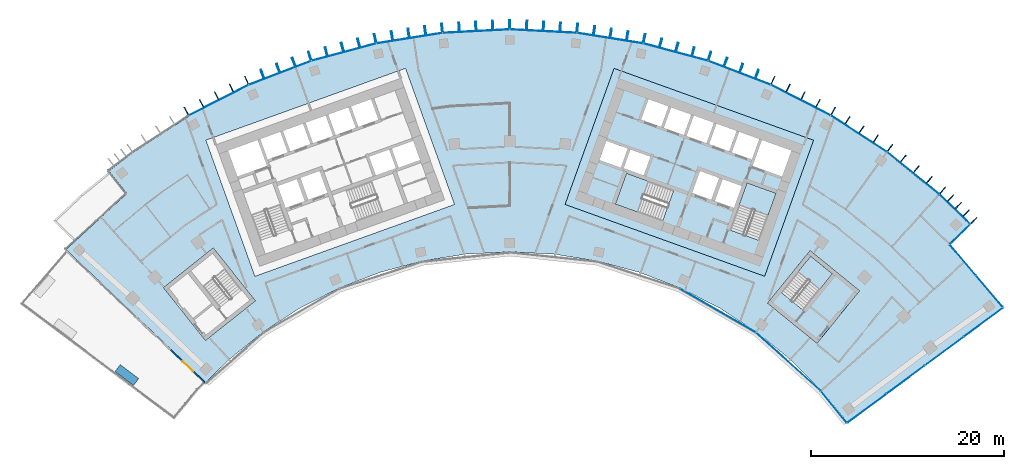
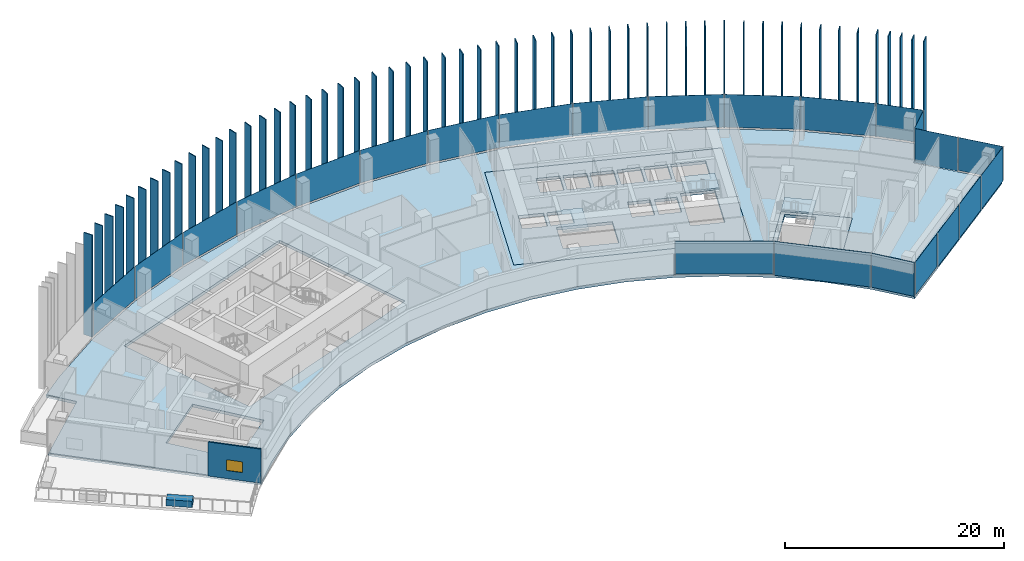
# One storey, part 11 of 20: 76 plates, 6 slabs, 2 walls, 1 window, 1 opening, 8 elements without a shape of their own.
"""IFC4 building model written with IfcOpenShell, lengths in metres."""

from ifc_helpers import new_model, si_unit, direction, frame, frame_2d, origin, origin_2d, place, context, subcontext, project, spatial, polyline, rectangle, outline, extrude, material, layer, layer_set, type_object, element, fill, aggregate, save


model = new_model("IFC4")

# Units and contexts
model_context = context("Model", 3, precision=1e-05, world=origin(), true_north=direction((0.0, 1.0)))
body_context = subcontext(model_context, "Body", "Model", "MODEL_VIEW")
ifc_project = project(units=[si_unit("LENGTHUNIT", "METRE"), si_unit("AREAUNIT", "SQUARE_METRE"), si_unit("VOLUMEUNIT", "CUBIC_METRE"), si_unit("PLANEANGLEUNIT", "RADIAN"), si_unit("MASSUNIT", "GRAM", prefix="KILO")], contexts=[model_context])

# Site, building, storey
site_placement = place(None, origin())
site = spatial("IfcSite", under=ifc_project, at=site_placement, CompositionType="ELEMENT")
building_placement = place(site_placement, origin())
building = spatial("IfcBuilding", under=site, at=building_placement, Name="Stone Belt Terrace Tower", CompositionType="ELEMENT")
storey_placement = place(building_placement, frame((0.0, 0.0, 201.0)))
storey = spatial("IfcBuildingStorey", under=building, at=storey_placement, Name="L48", CompositionType="ELEMENT", Elevation=201.0)

# Curtain wall, plates
ifc_material_1 = material(Name="Aluminium 6063-T6 anodised frame", Category="aluminium")
ifc_layer_1 = layer(ifc_material_1, 0.14990234375)
ifc_layer_set_1 = layer_set([ifc_layer_1], Name="CW-A unitised convex-face curtain wall")
curtain_wall_type_1 = type_object("IfcCurtainWallType", Name="CW-A unitised convex-face curtain wall", PredefinedType="NOTDEFINED", material=ifc_layer_set_1)
curtain_wall_1_placement = place(storey_placement, origin())
curtain_wall_1 = element("IfcCurtainWall", 1, at=curtain_wall_1_placement, inside=storey, type_object=curtain_wall_type_1, Name="CW-A convex face L48", PredefinedType="NOTDEFINED")
ifc_material_2 = material(Name="Clear double glazed unit")
ifc_layer_2 = layer(ifc_material_2, 0.031982421875)
ifc_layer_set_2 = layer_set([ifc_layer_2], Name="CW-A glass panel 32")
plate_type_1 = type_object("IfcPlateType", Name="CW-A glass panel 32", PredefinedType="CURTAIN_PANEL", material=ifc_layer_set_2)
plate_1_placement = place(storey_placement, frame((46.14599609375, 47.936767578125, 0.14013671875), z_axis=(0.0, 0.0, 1.0), x_axis=(-0.720604393579, 0.693346455933, 0.0)))
plate_1 = element("IfcPlate", 2, at=plate_1_placement, type_object=plate_type_1, Name="CW-A panel 1.1", PredefinedType="CURTAIN_PANEL", context=body_context, shape_type="SweptSolid", body=[
    extrude(rectangle(XDim=4.372314453125, YDim=0.031982421875, at=origin_2d()), origin(), (0.0, 0.0, 1.0), 3.659912109375),
])
plate_2_placement = place(storey_placement, frame((41.839599609375, 51.667724609375, 0.14013671875), z_axis=(0.0, 0.0, 1.0), x_axis=(-0.777145961457, 0.62932039105, 0.0)))
plate_2 = element("IfcPlate", 3, at=plate_2_placement, type_object=plate_type_1, Name="CW-A panel 2.1", PredefinedType="CURTAIN_PANEL", context=body_context, shape_type="SweptSolid", body=[
    extrude(rectangle(XDim=6.90087890625, YDim=0.031982421875, at=origin_2d()), origin(), (0.0, 0.0, 1.0), 3.659912109375),
])
plate_3_placement = place(storey_placement, frame((36.209716796875, 55.758056640625, 0.14013671875), z_axis=(0.0, 0.0, 1.0), x_axis=(-0.838670567945, 0.544639035015, 0.0)))
plate_3 = element("IfcPlate", 4, at=plate_3_placement, type_object=plate_type_1, Name="CW-A panel 3.1", PredefinedType="CURTAIN_PANEL", context=body_context, shape_type="SweptSolid", body=[
    extrude(rectangle(XDim=6.90087890625, YDim=0.031982421875, at=origin_2d()), origin(), (0.0, 0.0, 1.0), 3.659912109375),
])
plate_4_placement = place(storey_placement, frame((30.18310546875, 59.237548828125, 0.14013671875), z_axis=(0.0, 0.0, 1.0), x_axis=(-0.891006524188, 0.45399049974, 0.0)))
plate_4 = element("IfcPlate", 5, at=plate_4_placement, type_object=plate_type_1, Name="CW-A panel 4.1", PredefinedType="CURTAIN_PANEL", context=body_context, shape_type="SweptSolid", body=[
    extrude(rectangle(XDim=6.90087890625, YDim=0.031982421875, at=origin_2d()), origin(), (0.0, 0.0, 1.0), 3.659912109375),
])
plate_5_placement = place(storey_placement, frame((23.82568359375, 62.068115234375, 0.14013671875), z_axis=(0.0, 0.0, 1.0), x_axis=(-0.933580426497, 0.358367949545, 0.0)))
plate_5 = element("IfcPlate", 6, at=plate_5_placement, type_object=plate_type_1, Name="CW-A panel 5.1", PredefinedType="CURTAIN_PANEL", context=body_context, shape_type="SweptSolid", body=[
    extrude(rectangle(XDim=6.90087890625, YDim=0.031982421875, at=origin_2d()), origin(), (0.0, 0.0, 1.0), 3.659912109375),
])
plate_6_placement = place(storey_placement, frame((17.207275390625, 64.218505859375, 0.14013671875), z_axis=(0.0, 0.0, 1.0), x_axis=(-0.965925826289, 0.258819045103, 0.0)))
plate_6 = element("IfcPlate", 7, at=plate_6_placement, type_object=plate_type_1, Name="CW-A panel 6.1", PredefinedType="CURTAIN_PANEL", context=body_context, shape_type="SweptSolid", body=[
    extrude(rectangle(XDim=6.90087890625, YDim=0.031982421875, at=origin_2d()), origin(), (0.0, 0.0, 1.0), 3.659912109375),
])
plate_7_placement = place(storey_placement, frame((10.400390625, 65.665283203125, 0.14013671875), z_axis=(0.0, 0.0, 1.0), x_axis=(-0.987688340595, 0.15643446504, 0.0)))
plate_7 = element("IfcPlate", 8, at=plate_7_placement, type_object=plate_type_1, Name="CW-A panel 7.1", PredefinedType="CURTAIN_PANEL", context=body_context, shape_type="SweptSolid", body=[
    extrude(rectangle(XDim=6.90087890625, YDim=0.031982421875, at=origin_2d()), origin(), (0.0, 0.0, 1.0), 3.659912109375),
])
plate_8_placement = place(storey_placement, frame((3.4794921875, 66.392822265625, 0.14013671875), z_axis=(0.0, 0.0, 1.0), x_axis=(-0.998629534755, 0.052335956243, 0.0)))
plate_8 = element("IfcPlate", 9, at=plate_8_placement, type_object=plate_type_1, Name="CW-A panel 8.1", PredefinedType="CURTAIN_PANEL", context=body_context, shape_type="SweptSolid", body=[
    extrude(rectangle(XDim=6.90087890625, YDim=0.031982421875, at=origin_2d()), origin(), (0.0, 0.0, 1.0), 3.659912109375),
])
plate_9_placement = place(storey_placement, frame((-3.4794921875, 66.392822265625, 0.14013671875), z_axis=(0.0, 0.0, 1.0), x_axis=(-0.998629534755, -0.052335956243, 0.0)))
plate_9 = element("IfcPlate", 10, at=plate_9_placement, type_object=plate_type_1, Name="CW-A panel 9.1", PredefinedType="CURTAIN_PANEL", context=body_context, shape_type="SweptSolid", body=[
    extrude(rectangle(XDim=6.90087890625, YDim=0.031982421875, at=origin_2d()), origin(), (0.0, 0.0, 1.0), 3.659912109375),
])
plate_10_placement = place(storey_placement, frame((-10.400390625, 65.665283203125, 0.14013671875), z_axis=(0.0, 0.0, 1.0), x_axis=(-0.987688340595, -0.15643446504, 0.0)))
plate_10 = element("IfcPlate", 11, at=plate_10_placement, type_object=plate_type_1, Name="CW-A panel 10.1", PredefinedType="CURTAIN_PANEL", context=body_context, shape_type="SweptSolid", body=[
    extrude(rectangle(XDim=6.90087890625, YDim=0.031982421875, at=origin_2d()), origin(), (0.0, 0.0, 1.0), 3.659912109375),
])
plate_11_placement = place(storey_placement, frame((-17.207275390625, 64.218505859375, 0.14013671875), z_axis=(0.0, 0.0, 1.0), x_axis=(-0.965925826289, -0.258819045103, 0.0)))
plate_11 = element("IfcPlate", 12, at=plate_11_placement, type_object=plate_type_1, Name="CW-A panel 11.1", PredefinedType="CURTAIN_PANEL", context=body_context, shape_type="SweptSolid", body=[
    extrude(rectangle(XDim=6.90087890625, YDim=0.031982421875, at=origin_2d()), origin(), (0.0, 0.0, 1.0), 3.659912109375),
])
plate_12_placement = place(storey_placement, frame((-23.82568359375, 62.068115234375, 0.14013671875), z_axis=(0.0, 0.0, 1.0), x_axis=(-0.933580426497, -0.358367949545, 0.0)))
plate_12 = element("IfcPlate", 13, at=plate_12_placement, type_object=plate_type_1, Name="CW-A panel 12.1", PredefinedType="CURTAIN_PANEL", context=body_context, shape_type="SweptSolid", body=[
    extrude(rectangle(XDim=6.90087890625, YDim=0.031982421875, at=origin_2d()), origin(), (0.0, 0.0, 1.0), 3.659912109375),
])
plate_13_placement = place(storey_placement, frame((-30.18310546875, 59.237548828125, 0.14013671875), z_axis=(0.0, 0.0, 1.0), x_axis=(-0.891006524188, -0.45399049974, 0.0)))
plate_13 = element("IfcPlate", 14, at=plate_13_placement, type_object=plate_type_1, Name="CW-A panel 13.1", PredefinedType="CURTAIN_PANEL", context=body_context, shape_type="SweptSolid", body=[
    extrude(rectangle(XDim=6.90087890625, YDim=0.031982421875, at=origin_2d()), origin(), (0.0, 0.0, 1.0), 3.659912109375),
])
aggregate(curtain_wall_1, [plate_1, plate_2, plate_3, plate_4, plate_5, plate_6, plate_7, plate_8, plate_9, plate_10, plate_11, plate_12, plate_13])

ifc_layer_3 = layer(ifc_material_1, 0.14990234375)
ifc_layer_set_3 = layer_set([ifc_layer_3], Name="CW-B unitised concave-face curtain wall")
curtain_wall_type_2 = type_object("IfcCurtainWallType", Name="CW-B unitised concave-face curtain wall", PredefinedType="NOTDEFINED", material=ifc_layer_set_3)
curtain_wall_2_placement = place(storey_placement, origin())
curtain_wall_2 = element("IfcCurtainWall", 15, at=curtain_wall_2_placement, inside=storey, type_object=curtain_wall_type_2, Name="CW-B concave face L48", PredefinedType="NOTDEFINED")
ifc_layer_4 = layer(ifc_material_2, 0.030029296875)
ifc_layer_set_4 = layer_set([ifc_layer_4], Name="CW-B glass panel 30")
plate_type_2 = type_object("IfcPlateType", Name="CW-B glass panel 30", PredefinedType="CURTAIN_PANEL", material=ifc_layer_set_4)
plate_14_placement = place(storey_placement, frame((21.59326171875, 37.40087890625, 0.1201171875), z_axis=(0.0, 0.0, 1.0), x_axis=(0.866025403784, -0.5, 0.0)))
plate_14 = element("IfcPlate", 16, at=plate_14_placement, type_object=plate_type_2, Name="CW-B panel 7.1", PredefinedType="CURTAIN_PANEL", context=body_context, shape_type="SweptSolid", body=[
    extrude(rectangle(XDim=9.0126953125, YDim=0.030029296875, at=origin_2d()), origin(), (0.0, 0.0, 1.0), 3.679931640625),
])
plate_15_placement = place(storey_placement, frame((28.899169921875, 32.092529296875, 0.0), z_axis=(0.0, 0.0, 1.0), x_axis=(0.743144825477, -0.669130606359, 0.0)))
plate_15 = element("IfcPlate", 17, at=plate_15_placement, type_object=plate_type_2, Name="CW-B panel 8.1", PredefinedType="CURTAIN_PANEL", context=body_context, shape_type="SweptSolid", body=[
    extrude(rectangle(XDim=9.01708984375, YDim=0.030029296875, at=origin_2d()), origin(), (0.0, 0.0, 1.0), 3.800048828125),
])
plate_16_placement = place(storey_placement, frame((33.611572265625, 27.4150390625, 0.0), z_axis=(0.0, 0.0, 1.0), x_axis=(0.632397726807, -0.774643863417, 0.0)))
plate_16 = element("IfcPlate", 18, at=plate_16_placement, type_object=plate_type_2, Name="CW-B panel 9.1", PredefinedType="CURTAIN_PANEL", context=body_context, shape_type="SweptSolid", body=[
    extrude(rectangle(XDim=4.173828125, YDim=0.030029296875, at=origin_2d()), origin(), (0.0, 0.0, 1.0), 3.800048828125),
])
aggregate(curtain_wall_2, [plate_14, plate_15, plate_16])

ifc_layer_5 = layer(ifc_material_1, 0.14990234375)
ifc_layer_set_5 = layer_set([ifc_layer_5], Name="CW-C stick curtain wall, horn ends and notches")
curtain_wall_type_3 = type_object("IfcCurtainWallType", Name="CW-C stick curtain wall, horn ends and notches", PredefinedType="NOTDEFINED", material=ifc_layer_set_5)
curtain_wall_3_placement = place(storey_placement, origin())
curtain_wall_3 = element("IfcCurtainWall", 19, at=curtain_wall_3_placement, inside=storey, type_object=curtain_wall_type_3, Name="CW-C end face L48", PredefinedType="NOTDEFINED")
ifc_layer_6 = layer(ifc_material_2, 0.028076171875)
ifc_layer_set_6 = layer_set([ifc_layer_6], Name="CW-C glass panel 28")
plate_type_3 = type_object("IfcPlateType", Name="CW-C glass panel 28", PredefinedType="CURTAIN_PANEL", material=ifc_layer_set_6)
plate_17_placement = place(storey_placement, frame((37.032470703125, 27.263916015625, 0.1201171875), z_axis=(0.0, 0.0, 1.0), x_axis=(0.804329077539, 0.594184091865, 0.0)))
plate_17 = element("IfcPlate", 20, at=plate_17_placement, type_object=plate_type_3, Name="CW-C panel 1.1", PredefinedType="CURTAIN_PANEL", context=body_context, shape_type="SweptSolid", body=[
    extrude(rectangle(XDim=4.968017578125, YDim=0.028076171875, at=origin_2d()), origin(), (0.0, 0.0, 1.0), 3.679931640625),
])
plate_18_placement = place(storey_placement, frame((41.0654296875, 30.2431640625, 0.0), z_axis=(0.0, 0.0, 1.0), x_axis=(0.804329077539, 0.594184091865, 0.0)))
plate_18 = element("IfcPlate", 21, at=plate_18_placement, type_object=plate_type_3, Name="CW-C panel 2.1", PredefinedType="CURTAIN_PANEL", context=body_context, shape_type="SweptSolid", body=[
    extrude(rectangle(XDim=4.93994140625, YDim=0.028076171875, at=origin_2d()), origin(), (0.0, 0.0, 1.0), 3.800048828125),
])
plate_19_placement = place(storey_placement, frame((45.0869140625, 33.2138671875, 0.0), z_axis=(0.0, 0.0, 1.0), x_axis=(0.804329077539, 0.594184091865, 0.0)))
plate_19 = element("IfcPlate", 22, at=plate_19_placement, type_object=plate_type_3, Name="CW-C panel 3.1", PredefinedType="CURTAIN_PANEL", context=body_context, shape_type="SweptSolid", body=[
    extrude(rectangle(XDim=4.93994140625, YDim=0.028076171875, at=origin_2d()), origin(), (0.0, 0.0, 1.0), 3.800048828125),
])
plate_20_placement = place(storey_placement, frame((49.122802734375, 36.1953125, 0.0), z_axis=(0.0, 0.0, 1.0), x_axis=(0.804329077539, 0.594184091865, 0.0)))
plate_20 = element("IfcPlate", 23, at=plate_20_placement, type_object=plate_type_3, Name="CW-C panel 4.1", PredefinedType="CURTAIN_PANEL", context=body_context, shape_type="SweptSolid", body=[
    extrude(rectangle(XDim=4.974853515625, YDim=0.028076171875, at=origin_2d()), origin(), (0.0, 0.0, 1.0), 3.800048828125),
])
aggregate(curtain_wall_3, [plate_17, plate_18, plate_19, plate_20])

curtain_wall_4_placement = place(storey_placement, origin())
curtain_wall_4 = element("IfcCurtainWall", 24, at=curtain_wall_4_placement, inside=storey, type_object=curtain_wall_type_3, Name="CW-C notch face L48", PredefinedType="NOTDEFINED")
plate_21_placement = place(storey_placement, frame((49.75390625, 39.402587890625, 0.1201171875), z_axis=(0.0, 0.0, 1.0), x_axis=(-0.647210945735, 0.762310954743, 0.0)))
plate_21 = element("IfcPlate", 25, at=plate_21_placement, type_object=plate_type_3, Name="CW-C panel 1.1", PredefinedType="CURTAIN_PANEL", context=body_context, shape_type="SweptSolid", body=[
    extrude(rectangle(XDim=4.268798828125, YDim=0.028076171875, at=origin_2d()), origin(), (0.0, 0.0, 1.0), 3.679931640625),
])
plate_22_placement = place(storey_placement, frame((47.000244140625, 42.645751953125, 0.0), z_axis=(0.0, 0.0, 1.0), x_axis=(-0.647210945735, 0.762310954743, 0.0)))
plate_22 = element("IfcPlate", 26, at=plate_22_placement, type_object=plate_type_3, Name="CW-C panel 2.1", PredefinedType="CURTAIN_PANEL", context=body_context, shape_type="SweptSolid", body=[
    extrude(rectangle(XDim=4.12060546875, YDim=0.028076171875, at=origin_2d()), origin(), (0.0, 0.0, 1.0), 3.800048828125),
])
aggregate(curtain_wall_4, [plate_21, plate_22])

# Curtain wall, plate
curtain_wall_5_placement = place(storey_placement, origin())
curtain_wall_5 = element("IfcCurtainWall", 27, at=curtain_wall_5_placement, inside=storey, type_object=curtain_wall_type_3, Name="CW-C notch face L48", PredefinedType="NOTDEFINED")
plate_23_placement = place(storey_placement, frame((46.69677734375, 45.320068359375, 0.1201171875), z_axis=(0.0, 0.0, 1.0), x_axis=(0.71680345276, 0.697275275707, 0.0)))
plate_23 = element("IfcPlate", 28, at=plate_23_placement, type_object=plate_type_3, Name="CW-C panel 1.1", PredefinedType="CURTAIN_PANEL", context=body_context, shape_type="SweptSolid", body=[
    extrude(rectangle(XDim=2.859619140625, YDim=0.028076171875, at=origin_2d()), origin(), (0.0, 0.0, 1.0), 3.679931640625),
])
aggregate(curtain_wall_5, [plate_23])

# Slabs
ifc_material_3 = material(Name="Concrete B40", Category="concrete")
ifc_layer_7 = layer(ifc_material_3, 0.320068359375)
ifc_layer_set_7 = layer_set([ifc_layer_7], Name="Core floor slab 320")
slab_type_1 = type_object("IfcSlabType", Name="Core floor slab 320", PredefinedType="FLOOR", material=ifc_layer_set_7)
slab_1_placement = place(storey_placement, frame((0.0, 0.0, -0.320068359375)))
element("IfcSlab", 29, at=slab_1_placement, inside=storey, type_object=slab_type_1, Name="Core B floor L48", PredefinedType="FLOOR", context=body_context, shape_type="SweptSolid", body=[
    extrude(outline(polyline([(26.43505859375, 40.968994140625), (31.513916015625, 55.0830078125), (10.81396484375, 62.531982421875), (5.735107421875, 48.4189453125), (26.43505859375, 40.968994140625)]), holes=[polyline([(12.10595703125, 51.652099609375), (16.998046875, 49.89208984375), (15.846923828125, 46.69189453125), (10.955078125, 48.452880859375), (12.10595703125, 51.652099609375)]), polyline([(12.511962890625, 54.110107421875), (14.58203125, 53.364990234375), (13.887939453125, 51.43603515625), (11.864990234375, 52.1640625), (11.847900390625, 52.116943359375), (11.801025390625, 52.134033203125), (12.511962890625, 54.110107421875)]), polyline([(9.30810546875, 53.031005859375), (10.01904296875, 55.007080078125), (12.22998046875, 54.2109375), (11.51904296875, 52.235107421875), (9.30810546875, 53.031005859375)]), polyline([(18.333984375, 55.52197265625), (19.095947265625, 57.638916015625), (21.166015625, 56.89404296875), (20.404052734375, 54.777099609375), (18.333984375, 55.52197265625)]), polyline([(16.743896484375, 58.485107421875), (18.81396484375, 57.739990234375), (18.052001953125, 55.623046875), (15.98193359375, 56.367919921875), (16.743896484375, 58.485107421875)]), polyline([(14.39111328125, 59.33203125), (16.4609375, 58.5869140625), (15.699951171875, 56.469970703125), (13.6298828125, 57.215087890625), (14.39111328125, 59.33203125)]), polyline([(27.618896484375, 49.575927734375), (25.85888671875, 44.68408203125), (22.847900390625, 45.76806640625), (24.60791015625, 50.659912109375), (27.618896484375, 49.575927734375)]), polyline([(23.25, 48.06689453125), (21.27392578125, 48.778076171875), (22.0869140625, 51.035888671875), (24.06298828125, 50.324951171875), (23.25, 48.06689453125)]), polyline([(20.89794921875, 48.9130859375), (18.922119140625, 49.6240234375), (19.735107421875, 51.883056640625), (21.7109375, 51.1708984375), (20.89794921875, 48.9130859375)]), polyline([(26.153076171875, 55.09912109375), (29.2109375, 53.9990234375), (28.24609375, 51.31689453125), (25.18798828125, 52.41796875), (26.153076171875, 55.09912109375)]), polyline([(23.801025390625, 55.946044921875), (25.87109375, 55.200927734375), (25.10888671875, 53.083984375), (23.0390625, 53.8291015625), (23.801025390625, 55.946044921875)]), polyline([(21.447998046875, 56.7919921875), (23.51806640625, 56.047119140625), (22.756103515625, 53.929931640625), (20.68603515625, 54.675048828125), (21.447998046875, 56.7919921875)])]), origin(), (0.0, 0.0, 1.0), 0.320068359375),
])
slab_2_placement = place(storey_placement, frame((0.0, 0.0, -0.320068359375)))
element("IfcSlab", 30, at=slab_2_placement, inside=storey, type_object=slab_type_1, Name="Exit stair ST3B floor L48", PredefinedType="FLOOR", context=body_context, shape_type="SweptSolid", body=[
    extrude(outline(polyline([(26.741943359375, 38.18408203125), (31.866943359375, 34.02392578125), (36.278076171875, 39.458984375), (31.154052734375, 43.618896484375), (26.741943359375, 38.18408203125)]), holes=[polyline([(30.407958984375, 37.462890625), (28.156005859375, 39.291015625), (31.2119140625, 43.055908203125), (33.464111328125, 41.22802734375), (30.407958984375, 37.462890625)])]), origin(), (0.0, 0.0, 1.0), 0.320068359375),
])
ifc_layer_8 = layer(ifc_material_3, 0.320068359375)
ifc_layer_set_8 = layer_set([ifc_layer_8], Name="Floor slab 320 B40")
slab_type_2 = type_object("IfcSlabType", Name="Floor slab 320 B40", PredefinedType="FLOOR", material=ifc_layer_set_8)
slab_3_placement = place(storey_placement, frame((0.0, 0.0, -0.320068359375)))
element("IfcSlab", 31, at=slab_3_placement, inside=storey, type_object=slab_type_2, Name="Floor slab L48", PredefinedType="FLOOR", context=body_context, shape_type="SweptSolid", body=[
    extrude(outline(polyline([(-39.087646484375, 53.799560546875), (-33.25, 57.5908203125), (-27.048095703125, 60.750732421875), (-20.549560546875, 63.245361328125), (-13.826171875, 65.046875), (-6.951171875, 66.1357421875), (0.0, 66.5), (6.951171875, 66.1357421875), (13.826171875, 65.046875), (20.549560546875, 63.245361328125), (27.048095703125, 60.750732421875), (33.25, 57.5908203125), (39.087646484375, 53.799560546875), (44.497314453125, 49.419189453125), (47.66748046875, 46.368896484375), (45.51708984375, 44.277099609375), (51.074951171875, 37.730712890625), (34.98828125, 25.846923828125), (32.326904296875, 29.107177734375), (29.107177734375, 32.326904296875), (25.568603515625, 35.192138671875), (21.75, 37.672119140625), (17.693115234375, 39.7392578125), (13.442138671875, 41.37109375), (9.044189453125, 42.54931640625), (4.547119140625, 43.26171875), (0.0, 43.5), (-4.547119140625, 43.26171875), (-9.044189453125, 42.54931640625), (-13.442138671875, 41.37109375), (-17.693115234375, 39.7392578125), (-21.75, 37.672119140625), (-25.568603515625, 35.192138671875), (-29.107177734375, 32.326904296875), (-31.53369140625, 29.964599609375), (-46.031982421875, 43.7412109375), (-39.709228515625, 49.55224609375), (-41.585205078125, 51.893310546875), (-39.087646484375, 53.799560546875)]), holes=[polyline([(-26.434814453125, 40.968994140625), (-5.734619140625, 48.418701171875), (-10.81396484375, 62.532470703125), (-31.51416015625, 55.082763671875), (-26.434814453125, 40.968994140625)]), polyline([(10.81396484375, 62.532470703125), (5.734619140625, 48.418701171875), (26.434814453125, 40.968994140625), (31.51416015625, 55.082763671875), (10.81396484375, 62.532470703125)]), polyline([(-35.91796875, 39.787353515625), (-31.55615234375, 34.3125), (-26.39404296875, 38.425048828125), (-30.756103515625, 43.89990234375), (-35.91796875, 39.787353515625)]), polyline([(36.2783203125, 39.459228515625), (31.15380859375, 43.61865234375), (26.742431640625, 38.18359375), (31.86669921875, 34.024169921875), (36.2783203125, 39.459228515625)])]), origin(), (0.0, 0.0, 1.0), 0.320068359375),
])

# Stair, slab
stair_type = type_object("IfcStairType", Name="Exit stair 1500", PredefinedType="HALF_TURN_STAIR", material=ifc_material_3)
stair_1_placement = place(storey_placement, origin())
stair_1 = element("IfcStair", 32, at=stair_1_placement, inside=storey, type_object=stair_type, Name="L48 Exit stair 1 core B", PredefinedType="HALF_TURN_STAIR")
ifc_layer_9 = layer(ifc_material_3, 0.199951171875)
ifc_layer_set_9 = layer_set([ifc_layer_9], Name="Stair landing 200")
slab_type_3 = type_object("IfcSlabType", Name="Stair landing 200", PredefinedType="LANDING", material=ifc_layer_set_9)
slab_4_placement = place(storey_placement, frame((0.0, 0.0, 1.699951171875)))
slab_4 = element("IfcSlab", 33, at=slab_4_placement, type_object=slab_type_3, Name="ST1B landing 1", PredefinedType="LANDING", context=body_context, shape_type="SweptSolid", body=[
    extrude(outline(polyline([(26.806396484375, 47.3173828125), (27.619384765625, 49.576171875), (24.6083984375, 50.659912109375), (23.79541015625, 48.40087890625), (26.806396484375, 47.3173828125)])), origin(), (0.0, 0.0, 1.0), 0.199951171875),
])
aggregate(stair_1, [slab_4])

stair_2_placement = place(storey_placement, origin())
stair_2 = element("IfcStair", 34, at=stair_2_placement, inside=storey, type_object=stair_type, Name="L48 Exit stair 2 core B", PredefinedType="HALF_TURN_STAIR")
slab_5_placement = place(storey_placement, frame((0.0, 0.0, 1.699951171875)))
slab_5 = element("IfcSlab", 35, at=slab_5_placement, type_object=slab_type_3, Name="ST2B landing 1", PredefinedType="LANDING", context=body_context, shape_type="SweptSolid", body=[
    extrude(outline(polyline([(14.36474609375, 50.839111328125), (12.10595703125, 51.652099609375), (10.95458984375, 48.453125), (13.213623046875, 47.64013671875), (14.36474609375, 50.839111328125)])), origin(), (0.0, 0.0, 1.0), 0.199951171875),
])
aggregate(stair_2, [slab_5])

stair_3_placement = place(storey_placement, origin())
stair_3 = element("IfcStair", 36, at=stair_3_placement, inside=storey, type_object=stair_type, Name="L48 Exit stair 3B", PredefinedType="HALF_TURN_STAIR")
slab_6_placement = place(storey_placement, frame((0.0, 0.0, 1.699951171875)))
slab_6 = element("IfcSlab", 37, at=slab_6_placement, type_object=slab_type_3, Name="ST3B landing 1", PredefinedType="LANDING", context=body_context, shape_type="SweptSolid", body=[
    extrude(outline(polyline([(32.17138671875, 39.635986328125), (33.4638671875, 41.228271484375), (31.21240234375, 43.055908203125), (29.919921875, 41.463623046875), (32.17138671875, 39.635986328125)])), origin(), (0.0, 0.0, 1.0), 0.199951171875),
])
aggregate(stair_3, [slab_6])

# Plates
ifc_material_4 = material(Name="Terracotta coloured glazed ceramic", Category="masonry")
ifc_layer_10 = layer(ifc_material_4, 0.10009765625)
ifc_layer_set_10 = layer_set([ifc_layer_10], Name="Terracotta fin 100 x 900")
plate_type_4 = type_object("IfcPlateType", Name="Terracotta fin 100 x 900", PredefinedType="SHEET", material=ifc_layer_set_10)
for number, where, z_axis, x_axis, name in (
    (38, (48.139404296875, 46.747314453125, 0.0), (0.0, 0.0, 1.0), (0.693346455933, 0.720604393579, 0.0), "FIN L48 1.1"),
    (39, (47.332275390625, 47.52392578125, 0.0), (0.0, 0.0, 1.0), (0.693346455933, 0.720604393579, 0.0), "FIN L48 1.2"),
    (40, (46.525146484375, 48.300537109375, 0.0), (0.0, 0.0, 1.0), (0.693346455933, 0.720604393579, 0.0), "FIN L48 1.3"),
    (41, (45.718017578125, 49.0771484375, 0.0), (0.0, 0.0, 1.0), (0.693346455933, 0.720604393579, 0.0), "FIN L48 1.4"),
    (42, (44.894287109375, 49.868896484375, 0.0), (0.0, 0.0, 1.0), (0.661937409618, 0.749559114245, 0.0), "FIN L48 2.1"),
    (43, (43.5234375, 50.979736328125, 0.0), (0.0, 0.0, 1.0), (0.62932039105, 0.777145961457, 0.0), "FIN L48 2.2"),
    (44, (42.169677734375, 52.075927734375, 0.0), (0.0, 0.0, 1.0), (0.62932039105, 0.777145961457, 0.0), "FIN L48 2.3"),
    (45, (40.81591796875, 53.172119140625, 0.0), (0.0, 0.0, 1.0), (0.62932039105, 0.777145961457, 0.0), "FIN L48 2.4"),
    (46, (39.4404296875, 54.28515625, 0.0), (0.0, 0.0, 1.0), (0.587785252292, 0.809016994375, 0.0), "FIN L48 3.1"),
    (47, (37.956787109375, 55.24951171875, 0.0), (0.0, 0.0, 1.0), (0.544639035015, 0.838670567945, 0.0), "FIN L48 3.2"),
    (48, (36.49560546875, 56.1982421875, 0.0), (0.0, 0.0, 1.0), (0.544639035015, 0.838670567945, 0.0), "FIN L48 3.3"),
    (49, (35.03466796875, 57.147216796875, 0.0), (0.0, 0.0, 1.0), (0.544639035015, 0.838670567945, 0.0), "FIN L48 3.4"),
    (50, (33.550048828125, 58.1103515625, 0.0), (0.0, 0.0, 1.0), (0.5, 0.866025403784, 0.0), "FIN L48 4.1"),
    (51, (31.9736328125, 58.914306640625, 0.0), (0.0, 0.0, 1.0), (0.45399049974, 0.891006524188, 0.0), "FIN L48 4.2"),
    (52, (30.42138671875, 59.705322265625, 0.0), (0.0, 0.0, 1.0), (0.45399049974, 0.891006524188, 0.0), "FIN L48 4.3"),
    (53, (28.869140625, 60.496337890625, 0.0), (0.0, 0.0, 1.0), (0.45399049974, 0.891006524188, 0.0), "FIN L48 4.4"),
    (54, (27.2919921875, 61.299072265625, 0.0), (0.0, 0.0, 1.0), (0.406736643076, 0.913545457643, 0.0), "FIN L48 5.1"),
    (55, (25.64013671875, 61.933837890625, 0.0), (0.0, 0.0, 1.0), (0.358367949545, 0.933580426497, 0.0), "FIN L48 5.2"),
    (56, (24.013916015625, 62.55810546875, 0.0), (0.0, 0.0, 1.0), (0.358367949545, 0.933580426497, 0.0), "FIN L48 5.3"),
    (57, (22.387451171875, 63.182373046875, 0.0), (0.0, 0.0, 1.0), (0.358367949545, 0.933580426497, 0.0), "FIN L48 5.4"),
    (58, (20.735107421875, 63.81591796875, 0.0), (0.0, 0.0, 1.0), (0.309016994375, 0.951056516295, 0.0), "FIN L48 6.1"),
    (59, (19.02587890625, 64.274658203125, 0.0), (0.0, 0.0, 1.0), (0.258819045103, 0.965925826289, 0.0), "FIN L48 6.2"),
    (60, (17.34326171875, 64.7255859375, 0.0), (0.0, 0.0, 1.0), (0.258819045103, 0.965925826289, 0.0), "FIN L48 6.3"),
    (61, (15.660400390625, 65.176513671875, 0.0), (0.0, 0.0, 1.0), (0.258819045103, 0.965925826289, 0.0), "FIN L48 6.4"),
    (62, (13.950927734375, 65.6337890625, 0.0), (0.0, 0.0, 1.0), (0.207911690818, 0.978147600734, 0.0), "FIN L48 7.1"),
    (63, (12.203125, 65.911376953125, 0.0), (0.0, 0.0, 1.0), (0.15643446504, 0.987688340595, 0.0), "FIN L48 7.2"),
    (64, (10.482421875, 66.183837890625, 0.0), (0.0, 0.0, 1.0), (0.15643446504, 0.987688340595, 0.0), "FIN L48 7.3"),
    (65, (8.76171875, 66.456298828125, 0.0), (0.0, 0.0, 1.0), (0.15643446504, 0.987688340595, 0.0), "FIN L48 7.4"),
    (66, (7.013916015625, 66.732421875, 0.0), (0.0, 0.0, 1.0), (0.104528463268, 0.994521895368, 0.0), "FIN L48 8.1"),
    (67, (5.246826171875, 66.825927734375, 0.0), (0.0, 0.0, 1.0), (0.052335956243, 0.998629534755, 0.0), "FIN L48 8.2"),
    (68, (3.507080078125, 66.9169921875, 0.0), (0.0, 0.0, 1.0), (0.052335956243, 0.998629534755, 0.0), "FIN L48 8.3"),
    (69, (1.767333984375, 67.00830078125, 0.0), (0.0, 0.0, 1.0), (0.052335956243, 0.998629534755, 0.0), "FIN L48 8.4"),
    (70, (0.0, 67.10009765625, 0.0), (0.0, 0.0, 1.0), (0.0, 1.0, 0.0), "FIN L48 9.1"),
    (71, (-1.767333984375, 67.00830078125, 0.0), (0.0, 0.0, 1.0), (-0.052335956243, 0.998629534755, 0.0), "FIN L48 9.2"),
    (72, (-3.507080078125, 66.9169921875, 0.0), (0.0, 0.0, 1.0), (-0.052335956243, 0.998629534755, 0.0), "FIN L48 9.3"),
    (73, (-5.246826171875, 66.825927734375, 0.0), (0.0, 0.0, 1.0), (-0.052335956243, 0.998629534755, 0.0), "FIN L48 9.4"),
    (74, (-7.013916015625, 66.732421875, 0.0), (0.0, 0.0, 1.0), (-0.104528463268, 0.994521895368, 0.0), "FIN L48 10.1"),
    (75, (-8.76171875, 66.456298828125, 0.0), (0.0, 0.0, 1.0), (-0.15643446504, 0.987688340595, 0.0), "FIN L48 10.2"),
    (76, (-10.482421875, 66.183837890625, 0.0), (0.0, 0.0, 1.0), (-0.15643446504, 0.987688340595, 0.0), "FIN L48 10.3"),
    (77, (-12.203125, 65.911376953125, 0.0), (0.0, 0.0, 1.0), (-0.15643446504, 0.987688340595, 0.0), "FIN L48 10.4"),
    (78, (-13.950927734375, 65.6337890625, 0.0), (0.0, 0.0, 1.0), (-0.207911690818, 0.978147600734, 0.0), "FIN L48 11.1"),
    (79, (-15.660400390625, 65.176513671875, 0.0), (0.0, 0.0, 1.0), (-0.258819045103, 0.965925826289, 0.0), "FIN L48 11.2"),
    (80, (-17.34326171875, 64.7255859375, 0.0), (0.0, 0.0, 1.0), (-0.258819045103, 0.965925826289, 0.0), "FIN L48 11.3"),
    (81, (-19.02587890625, 64.274658203125, 0.0), (0.0, 0.0, 1.0), (-0.258819045103, 0.965925826289, 0.0), "FIN L48 11.4"),
    (82, (-20.735107421875, 63.81591796875, 0.0), (0.0, 0.0, 1.0), (-0.309016994375, 0.951056516295, 0.0), "FIN L48 12.1"),
    (83, (-22.387451171875, 63.182373046875, 0.0), (0.0, 0.0, 1.0), (-0.358367949545, 0.933580426497, 0.0), "FIN L48 12.2"),
    (84, (-24.013916015625, 62.55810546875, 0.0), (0.0, 0.0, 1.0), (-0.358367949545, 0.933580426497, 0.0), "FIN L48 12.3"),
    (85, (-25.64013671875, 61.933837890625, 0.0), (0.0, 0.0, 1.0), (-0.358367949545, 0.933580426497, 0.0), "FIN L48 12.4"),
    (86, (-27.2919921875, 61.299072265625, 0.0), (0.0, 0.0, 1.0), (-0.406736643076, 0.913545457643, 0.0), "FIN L48 13.1"),
    (87, (-28.869140625, 60.496337890625, 0.0), (0.0, 0.0, 1.0), (-0.45399049974, 0.891006524188, 0.0), "FIN L48 13.2"),
    (88, (-30.42138671875, 59.705322265625, 0.0), (0.0, 0.0, 1.0), (-0.45399049974, 0.891006524188, 0.0), "FIN L48 13.3"),
    (89, (-31.9736328125, 58.914306640625, 0.0), (0.0, 0.0, 1.0), (-0.45399049974, 0.891006524188, 0.0), "FIN L48 13.4"),
    (90, (-33.550048828125, 58.1103515625, 0.0), (0.0, 0.0, 1.0), (-0.5, 0.866025403784, 0.0), "FIN L48 14.1"),
):
    element("IfcPlate", number, at=place(storey_placement, frame(where, z_axis=z_axis, x_axis=x_axis)), inside=storey, type_object=plate_type_4, Name=name, PredefinedType="SHEET", context=body_context, shape_type="SweptSolid", body=[
        extrude(rectangle(XDim=0.89990234375, YDim=0.10009765625, at=origin_2d()), origin(), (0.0, 0.0, 1.0), 11.39990234375),
    ])

# Wall, opening, window
ifc_layer_11 = layer(ifc_material_4, 0.14990234375)
ifc_layer_set_11 = layer_set([ifc_layer_11], Name="Ceramic rain-screen wall 150")
wall_type_1 = type_object("IfcWallType", Name="Ceramic rain-screen wall 150", PredefinedType="SOLIDWALL", material=ifc_layer_set_11)
wall_1_placement = place(storey_placement, frame((-35.180908203125, 33.326904296875, 0.0), z_axis=(0.0, 0.0, 1.0), x_axis=(0.724909505589, -0.688844110599, 0.0)))
wall_1 = element("IfcWall", 91, at=wall_1_placement, inside=storey, type_object=wall_type_1, Name="Door wall L48", PredefinedType="SOLIDWALL", context=body_context, shape_type="SweptSolid", body=[
    extrude(rectangle(XDim=4.948486328125, YDim=0.14990234375, at=frame_2d((2.47412109375, 0.0))), origin(), (0.0, 0.0, 1.0), 3.800048828125),
])
opening_placement = place(wall_1_placement, frame((1.72412109375, 0.0, 0.89990234375)))
opening = element("IfcOpeningElement", 92, at=opening_placement, cuts=wall_1, Name="Opening L48-E03", PredefinedType="OPENING", context=body_context, shape_type="SweptSolid", body=[
    extrude(rectangle(XDim=1.5, YDim=1.199951171875, at=frame_2d((0.75, 0.60009765625))), frame((0.0, 0.0849609375, 0.0), z_axis=(0.0, -1.0, 0.0), x_axis=(1.0, 0.0, 0.0)), (0.0, 0.0, 1.0), 0.169921875),
])
ifc_material_5 = material(Name="Anodised aluminium window frame", Category="aluminium")
window_type = type_object("IfcWindowType", Name="Conservatory vent window 1500 x 1200", PartitioningType="SINGLE_PANEL", PredefinedType="WINDOW", material=ifc_material_5)
window_placement = place(opening_placement, origin())
window = element("IfcWindow", 93, at=window_placement, inside=storey, type_object=window_type, Name="Conservatory vent window L48", OverallHeight=1.199951171875, OverallWidth=1.5, PartitioningType="SINGLE_PANEL", PredefinedType="WINDOW", context=body_context, shape_type="SweptSolid", body=[
    extrude(rectangle(XDim=1.5, YDim=1.199951171875, at=frame_2d((0.75, 0.60009765625))), frame((0.0, 0.030029296875, 0.0), z_axis=(0.0, -1.0, 0.0), x_axis=(1.0, 0.0, 0.0)), (0.0, 0.0, 1.0), 0.06005859375),
])
fill(opening, window)

# Wall
ifc_material_6 = material(Name="Precast concrete C40/50", Category="concrete")
ifc_layer_12 = layer(ifc_material_6, 0.89990234375)
ifc_layer_set_12 = layer_set([ifc_layer_12], Name="Planter box 900 x 700")
wall_type_2 = type_object("IfcWallType", Name="Planter box 900 x 700", PredefinedType="SOLIDWALL", material=ifc_layer_set_12)
wall_2_placement = place(storey_placement, frame((-39.711181640625, 30.722412109375, 0.0), z_axis=(0.0, 0.0, 1.0), x_axis=(0.799986505357, -0.600017992436, 0.0)))
element("IfcWall", 94, at=wall_2_placement, inside=storey, type_object=wall_type_2, Name="PLANTER L48 3", PredefinedType="SOLIDWALL", context=body_context, shape_type="SweptSolid", body=[
    extrude(rectangle(XDim=2.39990234375, YDim=0.89990234375, at=origin_2d()), origin(), (0.0, 0.0, 1.0), 0.699951171875),
])

save(model, "model.ifc")
